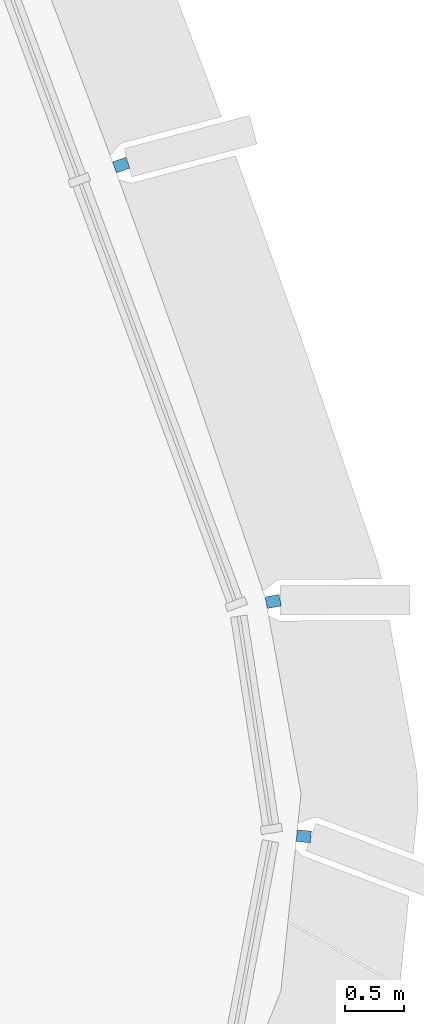
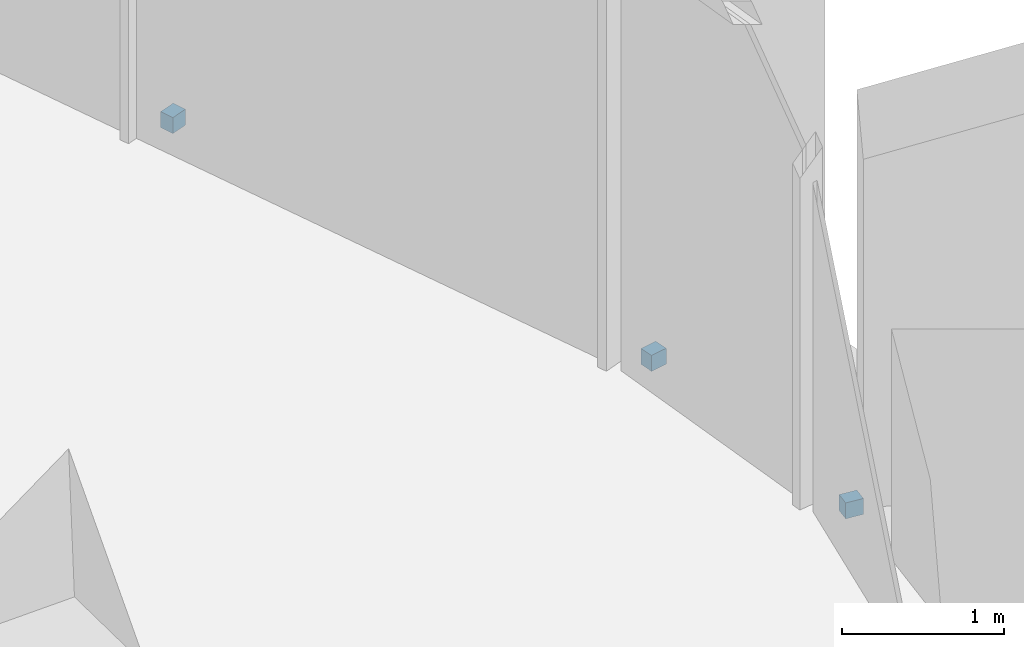
# One storey, part 14 of 19: 3 discrete accessories.
"""IFC4 building model written with IfcOpenShell, lengths in metres."""

from ifc_helpers import new_model, si_unit, direction, frame, origin, origin_2d, place, context, subcontext, project, spatial, rectangle, extrude, material, type_object, element, save


model = new_model("IFC4")

# Units and contexts
model_context = context("Model", 3, precision=1e-05, world=origin(), true_north=direction((0.0, 1.0)))
body_context = subcontext(model_context, "Body", "Model", "MODEL_VIEW")
ifc_project = project(units=[si_unit("LENGTHUNIT", "METRE"), si_unit("AREAUNIT", "SQUARE_METRE"), si_unit("VOLUMEUNIT", "CUBIC_METRE"), si_unit("PLANEANGLEUNIT", "RADIAN"), si_unit("MASSUNIT", "GRAM", prefix="KILO")], contexts=[model_context])

# Site, building, storey
site_placement = place(None, origin())
site = spatial("IfcSite", under=ifc_project, at=site_placement, CompositionType="ELEMENT")
building_placement = place(site_placement, origin())
building = spatial("IfcBuilding", under=site, at=building_placement, Name="Sierra Prisma Convention Tower", CompositionType="ELEMENT")
storey_placement = place(building_placement, frame((0.0, 0.0, 185.800048828125)))
storey = spatial("IfcBuildingStorey", under=building, at=storey_placement, Name="L41", CompositionType="ELEMENT", Elevation=185.800048828125)

# Discrete accessories
ifc_material = material(Name="Stainless steel 316", Category="steel")
discrete_accessory_type = type_object("IfcDiscreteAccessoryType", Name="Fin bracket", PredefinedType="BRACKET", material=ifc_material)
for number, where, z_axis, x_axis, name in (
    (1, (29.429931640625, -13.641845703125, -0.135009765625), (0.0, 0.0, 1.0), (0.994856274565, -0.101296559457, 0.0), "Fin bracket L41.22 base"),
    (2, (29.17041015625, -11.64892578125, -0.135009765625), (0.0, 0.0, 1.0), (0.983852967562, 0.178978597101, 0.0), "Fin bracket L41.23 base"),
    (3, (27.880126953125, -7.944091796875, -0.135009765625), (0.0, 0.0, 1.0), (0.941071893761, 0.338206580026, 0.0), "Fin bracket L41.24 base"),
):
    element("IfcDiscreteAccessory", number, at=place(storey_placement, frame(where, z_axis=z_axis, x_axis=x_axis)), inside=storey, type_object=discrete_accessory_type, Name=name, PredefinedType="BRACKET", context=body_context, shape_type="SweptSolid", body=[
        extrude(rectangle(XDim=0.1201171875, YDim=0.10009765625, at=origin_2d()), origin(), (0.0, 0.0, 1.0), 0.1201171875),
    ])

save(model, "model.ifc")
